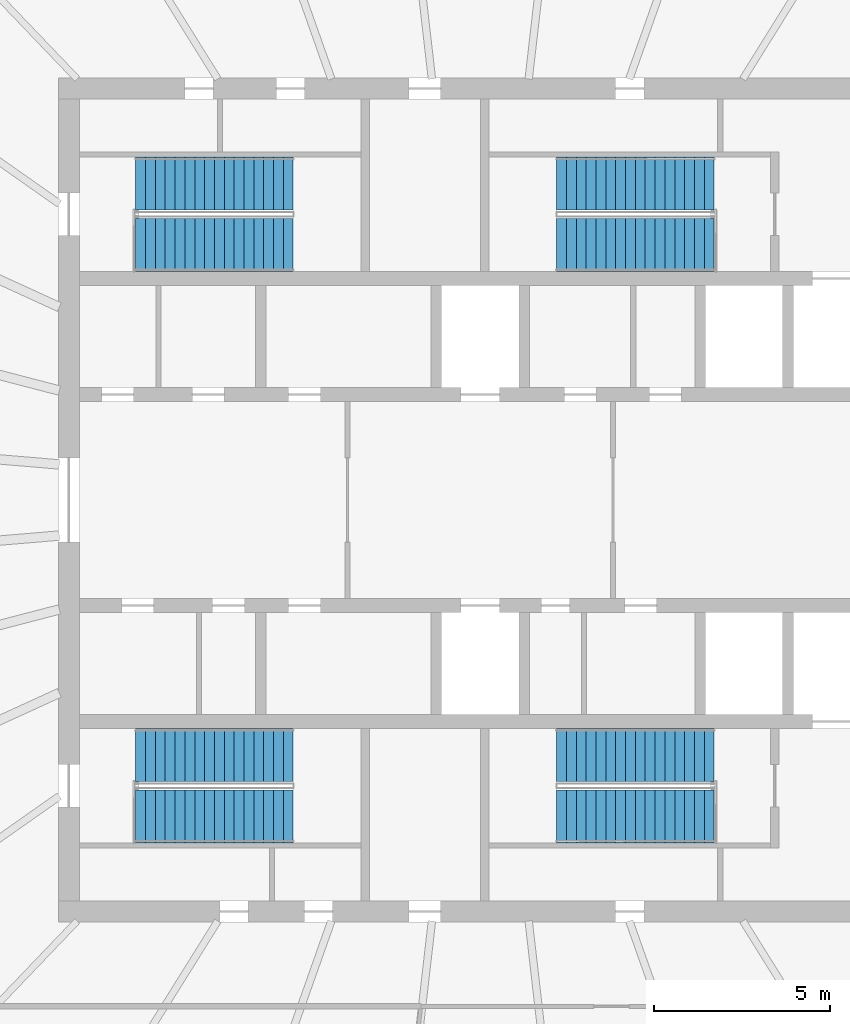
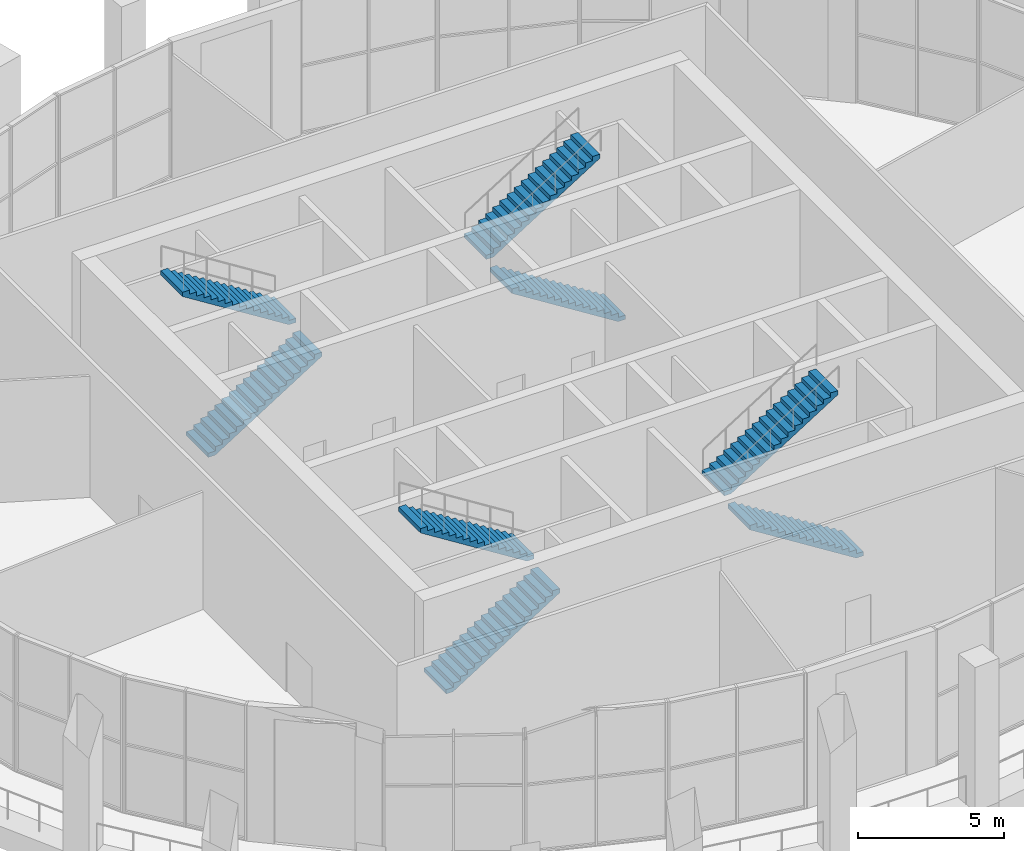
# One storey, part 13 of 15: 8 stair flights, 4 elements without a shape of their own.
"""IFC4 building model written with IfcOpenShell, lengths in metres."""

from ifc_helpers import new_model, si_unit, direction, frame, origin, place, context, subcontext, project, spatial, polyline, outline, extrude, material, type_object, element, aggregate, save


model = new_model("IFC4")

# Units and contexts
model_context = context("Model", 3, precision=1e-05, world=origin(), true_north=direction((0.0, 1.0)))
body_context = subcontext(model_context, "Body", "Model", "MODEL_VIEW")
ifc_project = project(units=[si_unit("LENGTHUNIT", "METRE"), si_unit("AREAUNIT", "SQUARE_METRE"), si_unit("VOLUMEUNIT", "CUBIC_METRE"), si_unit("PLANEANGLEUNIT", "RADIAN"), si_unit("MASSUNIT", "GRAM", prefix="KILO")], contexts=[model_context])

# Site, building, storey
site_placement = place(None, origin())
site = spatial("IfcSite", under=ifc_project, at=site_placement, CompositionType="ELEMENT")
building_placement = place(site_placement, origin())
building = spatial("IfcBuilding", under=site, at=building_placement, Name="Halqa Exchange Tower", CompositionType="ELEMENT")
storey_placement = place(building_placement, frame((0.0, 0.0, 343.300048828125)))
storey = spatial("IfcBuildingStorey", under=building, at=storey_placement, Name="L80", CompositionType="ELEMENT", Elevation=343.300048828125)

# Stair, stair flights
ifc_material = material(Name="Concrete C30/37", Category="concrete")
stair_type = type_object("IfcStairType", Name="Exit stair 1500 wide", PredefinedType="HALF_TURN_STAIR", material=ifc_material)
stair_1_placement = place(storey_placement, origin())
stair_1 = element("IfcStair", 1, at=stair_1_placement, inside=storey, type_object=stair_type, Name="Exit stair ST1", PredefinedType="HALF_TURN_STAIR")
stair_flight_type = type_object("IfcStairFlightType", Name="Stair flight 1500 wide", PredefinedType="STRAIGHT", material=ifc_material)
stair_flight_1_placement = place(storey_placement, frame((-9.800048828125, 7.25, 0.0), z_axis=(0.0, 0.0, 1.0), x_axis=(1.0, 0.0, 0.0)))
stair_flight_1 = element("IfcStairFlight", 2, at=stair_flight_1_placement, type_object=stair_flight_type, Name="ST1 flight 1", NumberOfRisers=17, NumberOfTreads=16, PredefinedType="STRAIGHT", RiserHeight=0.176470588, TreadLength=0.28, context=body_context, shape_type="SweptSolid", body=[
    extrude(outline(polyline([(0.0, 0.0), (0.0, 0.176513671875), (0.280029296875, 0.176513671875), (0.280029296875, 0.35302734375), (0.56005859375, 0.35302734375), (0.56005859375, 0.529296875), (0.840087890625, 0.529296875), (0.840087890625, 0.705810546875), (1.1201171875, 0.705810546875), (1.1201171875, 0.88232421875), (1.39990234375, 0.88232421875), (1.39990234375, 1.058837890625), (1.679931640625, 1.058837890625), (1.679931640625, 1.2353515625), (1.9599609375, 1.2353515625), (1.9599609375, 1.411865234375), (2.239990234375, 1.411865234375), (2.239990234375, 1.588134765625), (2.52001953125, 1.588134765625), (2.52001953125, 1.7646484375), (2.800048828125, 1.7646484375), (2.800048828125, 1.941162109375), (3.080078125, 1.941162109375), (3.080078125, 2.11767578125), (3.360107421875, 2.11767578125), (3.360107421875, 2.294189453125), (3.639892578125, 2.294189453125), (3.639892578125, 2.470703125), (3.919921875, 2.470703125), (3.919921875, 2.64697265625), (4.199951171875, 2.64697265625), (4.199951171875, 2.823486328125), (4.47998046875, 2.823486328125), (4.47998046875, 3.0), (4.47998046875, 2.646240234375), (0.28125, 0.0), (0.0, 0.0)])), frame((0.0, 0.75, 0.0), z_axis=(0.0, -1.0, 0.0), x_axis=(1.0, 0.0, 0.0)), (0.0, 0.0, 1.0), 1.5),
])
stair_flight_2_placement = place(storey_placement, frame((-5.320068359375, 9.0, 3.0), z_axis=(0.0, 0.0, 1.0), x_axis=(-1.0, 0.0, 0.0)))
stair_flight_2 = element("IfcStairFlight", 3, at=stair_flight_2_placement, type_object=stair_flight_type, Name="ST1 flight 2", NumberOfRisers=17, NumberOfTreads=16, PredefinedType="STRAIGHT", RiserHeight=0.176470588, TreadLength=0.28, context=body_context, shape_type="SweptSolid", body=[
    extrude(outline(polyline([(0.0, 0.0), (0.0, 0.176513671875), (0.280029296875, 0.176513671875), (0.280029296875, 0.35302734375), (0.56005859375, 0.35302734375), (0.56005859375, 0.529296875), (0.840087890625, 0.529296875), (0.840087890625, 0.705810546875), (1.1201171875, 0.705810546875), (1.1201171875, 0.88232421875), (1.39990234375, 0.88232421875), (1.39990234375, 1.058837890625), (1.679931640625, 1.058837890625), (1.679931640625, 1.2353515625), (1.9599609375, 1.2353515625), (1.9599609375, 1.411865234375), (2.239990234375, 1.411865234375), (2.239990234375, 1.588134765625), (2.52001953125, 1.588134765625), (2.52001953125, 1.7646484375), (2.800048828125, 1.7646484375), (2.800048828125, 1.941162109375), (3.080078125, 1.941162109375), (3.080078125, 2.11767578125), (3.360107421875, 2.11767578125), (3.360107421875, 2.294189453125), (3.639892578125, 2.294189453125), (3.639892578125, 2.470703125), (3.919921875, 2.470703125), (3.919921875, 2.64697265625), (4.199951171875, 2.64697265625), (4.199951171875, 2.823486328125), (4.47998046875, 2.823486328125), (4.47998046875, 3.0), (4.47998046875, 2.646240234375), (0.28125, 0.0), (0.0, 0.0)])), frame((0.0, 0.75, 0.0), z_axis=(0.0, -1.0, 0.0), x_axis=(1.0, 0.0, 0.0)), (0.0, 0.0, 1.0), 1.5),
])
aggregate(stair_1, [stair_flight_1, stair_flight_2])

stair_2_placement = place(storey_placement, origin())
stair_2 = element("IfcStair", 4, at=stair_2_placement, inside=storey, type_object=stair_type, Name="Exit stair ST2", PredefinedType="HALF_TURN_STAIR")
stair_flight_3_placement = place(storey_placement, frame((6.64990234375, 7.25, 0.0), z_axis=(0.0, 0.0, 1.0), x_axis=(-1.0, 0.0, 0.0)))
stair_flight_3 = element("IfcStairFlight", 5, at=stair_flight_3_placement, type_object=stair_flight_type, Name="ST2 flight 1", NumberOfRisers=17, NumberOfTreads=16, PredefinedType="STRAIGHT", RiserHeight=0.176470588, TreadLength=0.28, context=body_context, shape_type="SweptSolid", body=[
    extrude(outline(polyline([(0.0, 0.0), (0.0, 0.176513671875), (0.280029296875, 0.176513671875), (0.280029296875, 0.35302734375), (0.56005859375, 0.35302734375), (0.56005859375, 0.529296875), (0.840087890625, 0.529296875), (0.840087890625, 0.705810546875), (1.1201171875, 0.705810546875), (1.1201171875, 0.88232421875), (1.39990234375, 0.88232421875), (1.39990234375, 1.058837890625), (1.679931640625, 1.058837890625), (1.679931640625, 1.2353515625), (1.9599609375, 1.2353515625), (1.9599609375, 1.411865234375), (2.239990234375, 1.411865234375), (2.239990234375, 1.588134765625), (2.52001953125, 1.588134765625), (2.52001953125, 1.7646484375), (2.800048828125, 1.7646484375), (2.800048828125, 1.941162109375), (3.080078125, 1.941162109375), (3.080078125, 2.11767578125), (3.360107421875, 2.11767578125), (3.360107421875, 2.294189453125), (3.639892578125, 2.294189453125), (3.639892578125, 2.470703125), (3.919921875, 2.470703125), (3.919921875, 2.64697265625), (4.199951171875, 2.64697265625), (4.199951171875, 2.823486328125), (4.47998046875, 2.823486328125), (4.47998046875, 3.0), (4.47998046875, 2.646240234375), (0.28125, 0.0), (0.0, 0.0)])), frame((0.0, 0.75, 0.0), z_axis=(0.0, -1.0, 0.0), x_axis=(1.0, 0.0, 0.0)), (0.0, 0.0, 1.0), 1.5),
])
stair_flight_4_placement = place(storey_placement, frame((2.169921875, 9.0, 3.0), z_axis=(0.0, 0.0, 1.0), x_axis=(1.0, 0.0, 0.0)))
stair_flight_4 = element("IfcStairFlight", 6, at=stair_flight_4_placement, type_object=stair_flight_type, Name="ST2 flight 2", NumberOfRisers=17, NumberOfTreads=16, PredefinedType="STRAIGHT", RiserHeight=0.176470588, TreadLength=0.28, context=body_context, shape_type="SweptSolid", body=[
    extrude(outline(polyline([(0.0, 0.0), (0.0, 0.176513671875), (0.280029296875, 0.176513671875), (0.280029296875, 0.35302734375), (0.56005859375, 0.35302734375), (0.56005859375, 0.529296875), (0.840087890625, 0.529296875), (0.840087890625, 0.705810546875), (1.1201171875, 0.705810546875), (1.1201171875, 0.88232421875), (1.39990234375, 0.88232421875), (1.39990234375, 1.058837890625), (1.679931640625, 1.058837890625), (1.679931640625, 1.2353515625), (1.9599609375, 1.2353515625), (1.9599609375, 1.411865234375), (2.239990234375, 1.411865234375), (2.239990234375, 1.588134765625), (2.52001953125, 1.588134765625), (2.52001953125, 1.7646484375), (2.800048828125, 1.7646484375), (2.800048828125, 1.941162109375), (3.080078125, 1.941162109375), (3.080078125, 2.11767578125), (3.360107421875, 2.11767578125), (3.360107421875, 2.294189453125), (3.639892578125, 2.294189453125), (3.639892578125, 2.470703125), (3.919921875, 2.470703125), (3.919921875, 2.64697265625), (4.199951171875, 2.64697265625), (4.199951171875, 2.823486328125), (4.47998046875, 2.823486328125), (4.47998046875, 3.0), (4.47998046875, 2.646240234375), (0.28125, 0.0), (0.0, 0.0)])), frame((0.0, 0.75, 0.0), z_axis=(0.0, -1.0, 0.0), x_axis=(1.0, 0.0, 0.0)), (0.0, 0.0, 1.0), 1.5),
])
aggregate(stair_2, [stair_flight_3, stair_flight_4])

stair_3_placement = place(storey_placement, origin())
stair_3 = element("IfcStair", 7, at=stair_3_placement, inside=storey, type_object=stair_type, Name="Exit stair ST3", PredefinedType="HALF_TURN_STAIR")
stair_flight_5_placement = place(storey_placement, frame((-9.800048828125, -9.0, 0.0), z_axis=(0.0, 0.0, 1.0), x_axis=(1.0, 0.0, 0.0)))
stair_flight_5 = element("IfcStairFlight", 8, at=stair_flight_5_placement, type_object=stair_flight_type, Name="ST3 flight 1", NumberOfRisers=17, NumberOfTreads=16, PredefinedType="STRAIGHT", RiserHeight=0.176470588, TreadLength=0.28, context=body_context, shape_type="SweptSolid", body=[
    extrude(outline(polyline([(0.0, 0.0), (0.0, 0.176513671875), (0.280029296875, 0.176513671875), (0.280029296875, 0.35302734375), (0.56005859375, 0.35302734375), (0.56005859375, 0.529296875), (0.840087890625, 0.529296875), (0.840087890625, 0.705810546875), (1.1201171875, 0.705810546875), (1.1201171875, 0.88232421875), (1.39990234375, 0.88232421875), (1.39990234375, 1.058837890625), (1.679931640625, 1.058837890625), (1.679931640625, 1.2353515625), (1.9599609375, 1.2353515625), (1.9599609375, 1.411865234375), (2.239990234375, 1.411865234375), (2.239990234375, 1.588134765625), (2.52001953125, 1.588134765625), (2.52001953125, 1.7646484375), (2.800048828125, 1.7646484375), (2.800048828125, 1.941162109375), (3.080078125, 1.941162109375), (3.080078125, 2.11767578125), (3.360107421875, 2.11767578125), (3.360107421875, 2.294189453125), (3.639892578125, 2.294189453125), (3.639892578125, 2.470703125), (3.919921875, 2.470703125), (3.919921875, 2.64697265625), (4.199951171875, 2.64697265625), (4.199951171875, 2.823486328125), (4.47998046875, 2.823486328125), (4.47998046875, 3.0), (4.47998046875, 2.646240234375), (0.28125, 0.0), (0.0, 0.0)])), frame((0.0, 0.75, 0.0), z_axis=(0.0, -1.0, 0.0), x_axis=(1.0, 0.0, 0.0)), (0.0, 0.0, 1.0), 1.5),
])
stair_flight_6_placement = place(storey_placement, frame((-5.320068359375, -7.25, 3.0), z_axis=(0.0, 0.0, 1.0), x_axis=(-1.0, 0.0, 0.0)))
stair_flight_6 = element("IfcStairFlight", 9, at=stair_flight_6_placement, type_object=stair_flight_type, Name="ST3 flight 2", NumberOfRisers=17, NumberOfTreads=16, PredefinedType="STRAIGHT", RiserHeight=0.176470588, TreadLength=0.28, context=body_context, shape_type="SweptSolid", body=[
    extrude(outline(polyline([(0.0, 0.0), (0.0, 0.176513671875), (0.280029296875, 0.176513671875), (0.280029296875, 0.35302734375), (0.56005859375, 0.35302734375), (0.56005859375, 0.529296875), (0.840087890625, 0.529296875), (0.840087890625, 0.705810546875), (1.1201171875, 0.705810546875), (1.1201171875, 0.88232421875), (1.39990234375, 0.88232421875), (1.39990234375, 1.058837890625), (1.679931640625, 1.058837890625), (1.679931640625, 1.2353515625), (1.9599609375, 1.2353515625), (1.9599609375, 1.411865234375), (2.239990234375, 1.411865234375), (2.239990234375, 1.588134765625), (2.52001953125, 1.588134765625), (2.52001953125, 1.7646484375), (2.800048828125, 1.7646484375), (2.800048828125, 1.941162109375), (3.080078125, 1.941162109375), (3.080078125, 2.11767578125), (3.360107421875, 2.11767578125), (3.360107421875, 2.294189453125), (3.639892578125, 2.294189453125), (3.639892578125, 2.470703125), (3.919921875, 2.470703125), (3.919921875, 2.64697265625), (4.199951171875, 2.64697265625), (4.199951171875, 2.823486328125), (4.47998046875, 2.823486328125), (4.47998046875, 3.0), (4.47998046875, 2.646240234375), (0.28125, 0.0), (0.0, 0.0)])), frame((0.0, 0.75, 0.0), z_axis=(0.0, -1.0, 0.0), x_axis=(1.0, 0.0, 0.0)), (0.0, 0.0, 1.0), 1.5),
])
aggregate(stair_3, [stair_flight_5, stair_flight_6])

stair_4_placement = place(storey_placement, origin())
stair_4 = element("IfcStair", 10, at=stair_4_placement, inside=storey, type_object=stair_type, Name="Exit stair ST4", PredefinedType="HALF_TURN_STAIR")
stair_flight_7_placement = place(storey_placement, frame((6.64990234375, -9.0, 0.0), z_axis=(0.0, 0.0, 1.0), x_axis=(-1.0, 0.0, 0.0)))
stair_flight_7 = element("IfcStairFlight", 11, at=stair_flight_7_placement, type_object=stair_flight_type, Name="ST4 flight 1", NumberOfRisers=17, NumberOfTreads=16, PredefinedType="STRAIGHT", RiserHeight=0.176470588, TreadLength=0.28, context=body_context, shape_type="SweptSolid", body=[
    extrude(outline(polyline([(0.0, 0.0), (0.0, 0.176513671875), (0.280029296875, 0.176513671875), (0.280029296875, 0.35302734375), (0.56005859375, 0.35302734375), (0.56005859375, 0.529296875), (0.840087890625, 0.529296875), (0.840087890625, 0.705810546875), (1.1201171875, 0.705810546875), (1.1201171875, 0.88232421875), (1.39990234375, 0.88232421875), (1.39990234375, 1.058837890625), (1.679931640625, 1.058837890625), (1.679931640625, 1.2353515625), (1.9599609375, 1.2353515625), (1.9599609375, 1.411865234375), (2.239990234375, 1.411865234375), (2.239990234375, 1.588134765625), (2.52001953125, 1.588134765625), (2.52001953125, 1.7646484375), (2.800048828125, 1.7646484375), (2.800048828125, 1.941162109375), (3.080078125, 1.941162109375), (3.080078125, 2.11767578125), (3.360107421875, 2.11767578125), (3.360107421875, 2.294189453125), (3.639892578125, 2.294189453125), (3.639892578125, 2.470703125), (3.919921875, 2.470703125), (3.919921875, 2.64697265625), (4.199951171875, 2.64697265625), (4.199951171875, 2.823486328125), (4.47998046875, 2.823486328125), (4.47998046875, 3.0), (4.47998046875, 2.646240234375), (0.28125, 0.0), (0.0, 0.0)])), frame((0.0, 0.75, 0.0), z_axis=(0.0, -1.0, 0.0), x_axis=(1.0, 0.0, 0.0)), (0.0, 0.0, 1.0), 1.5),
])
stair_flight_8_placement = place(storey_placement, frame((2.169921875, -7.25, 3.0), z_axis=(0.0, 0.0, 1.0), x_axis=(1.0, 0.0, 0.0)))
stair_flight_8 = element("IfcStairFlight", 12, at=stair_flight_8_placement, type_object=stair_flight_type, Name="ST4 flight 2", NumberOfRisers=17, NumberOfTreads=16, PredefinedType="STRAIGHT", RiserHeight=0.176470588, TreadLength=0.28, context=body_context, shape_type="SweptSolid", body=[
    extrude(outline(polyline([(0.0, 0.0), (0.0, 0.176513671875), (0.280029296875, 0.176513671875), (0.280029296875, 0.35302734375), (0.56005859375, 0.35302734375), (0.56005859375, 0.529296875), (0.840087890625, 0.529296875), (0.840087890625, 0.705810546875), (1.1201171875, 0.705810546875), (1.1201171875, 0.88232421875), (1.39990234375, 0.88232421875), (1.39990234375, 1.058837890625), (1.679931640625, 1.058837890625), (1.679931640625, 1.2353515625), (1.9599609375, 1.2353515625), (1.9599609375, 1.411865234375), (2.239990234375, 1.411865234375), (2.239990234375, 1.588134765625), (2.52001953125, 1.588134765625), (2.52001953125, 1.7646484375), (2.800048828125, 1.7646484375), (2.800048828125, 1.941162109375), (3.080078125, 1.941162109375), (3.080078125, 2.11767578125), (3.360107421875, 2.11767578125), (3.360107421875, 2.294189453125), (3.639892578125, 2.294189453125), (3.639892578125, 2.470703125), (3.919921875, 2.470703125), (3.919921875, 2.64697265625), (4.199951171875, 2.64697265625), (4.199951171875, 2.823486328125), (4.47998046875, 2.823486328125), (4.47998046875, 3.0), (4.47998046875, 2.646240234375), (0.28125, 0.0), (0.0, 0.0)])), frame((0.0, 0.75, 0.0), z_axis=(0.0, -1.0, 0.0), x_axis=(1.0, 0.0, 0.0)), (0.0, 0.0, 1.0), 1.5),
])
aggregate(stair_4, [stair_flight_7, stair_flight_8])

save(model, "model.ifc")
